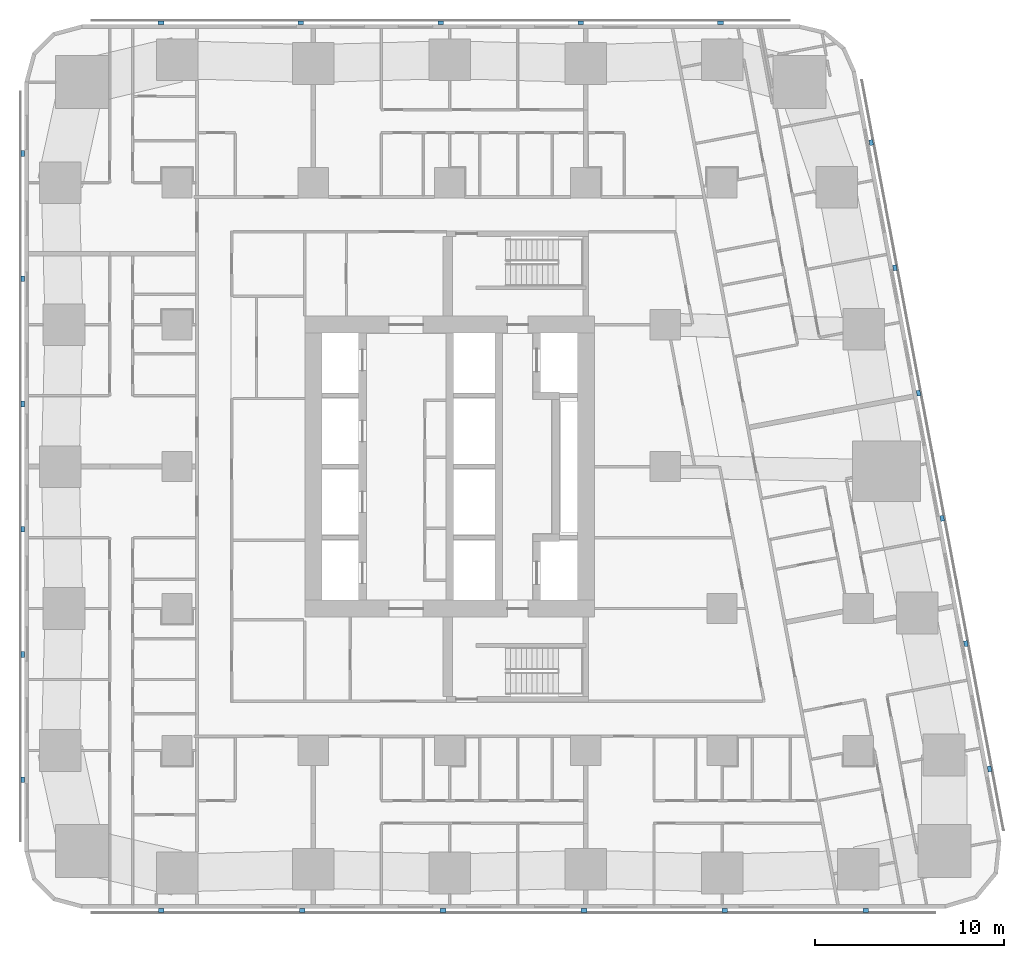
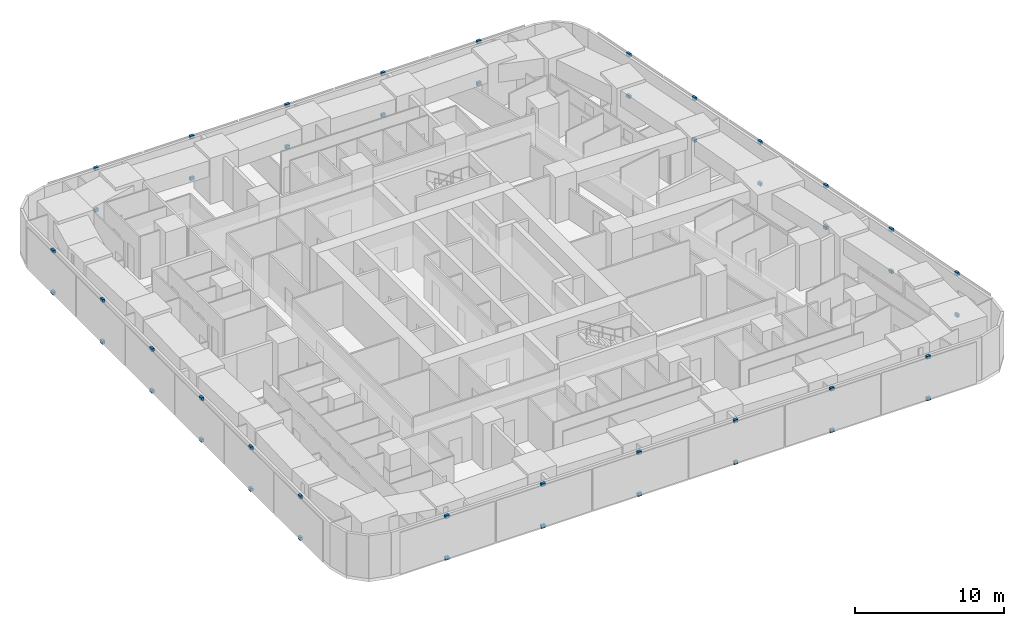
# One storey, part 11 of 15: 46 discrete accessories.
"""IFC4 building model written with IfcOpenShell, lengths in metres."""

import ifcopenshell
import ifcopenshell.guid

model = None  # the IFC model being written
_history = None  # IfcOwnerHistory: only IFC2X3 demands one
_inside = {}  # id of a spatial element -> (the spatial element, [elements in it])
_under = {}  # id of a project, library or spatial element -> (it, [spatial elements below it])
_declared = {}  # id of a project -> (the project, [libraries it declares])
_typed = {}  # id of a type object -> (the type object, [elements of that type])
_made_of = {}  # id of a material, layer set ... -> (it, [elements and type objects made of it])


def new_model(schema):
    """Start an empty IFC model of exactly this schema.

    Asked for "IFC4X3", IfcOpenShell would pick the latest addendum, in which some entities
    have other attributes; the version numbers below select the first issue.
    IFC2X3 requires an IfcOwnerHistory on every rooted entity: one is made here for all.
    """
    global model, _history
    if schema == "IFC4X3":
        model = ifcopenshell.file(schema_version=(4, 3, 0, 0))
    else:
        model = ifcopenshell.file(schema=schema)
    _inside.clear()
    _under.clear()
    _declared.clear()
    _typed.clear()
    _made_of.clear()
    _history = None
    if model.schema == "IFC2X3":
        org = make("IfcOrganization", Name="unknown")
        user = make(
            "IfcPersonAndOrganization",
            ThePerson=make("IfcPerson", FamilyName="unknown"),
            TheOrganization=org,
        )
        app = make(
            "IfcApplication",
            ApplicationDeveloper=org,
            Version="unknown",
            ApplicationFullName="unknown",
            ApplicationIdentifier="unknown",
        )
        _history = make(
            "IfcOwnerHistory",
            OwningUser=user,
            OwningApplication=app,
            ChangeAction="ADDED",
            CreationDate=0,
        )
    return model


def make(cls, **values):
    """One entity of the class cls with the attributes given. An attribute that is None is left unset."""
    return model.create_entity(
        cls, **{name: value for name, value in values.items() if value is not None}
    )


def rooted(cls, **values):
    """An entity with a GlobalId (a new one), such as an element, a storey or a relation."""
    return make(cls, GlobalId=ifcopenshell.guid.new(), OwnerHistory=_history, **values)


def si_unit(unit_type, name, prefix=None):
    """IfcSIUnit, for example si_unit("LENGTHUNIT", "METRE", prefix="MILLI")."""
    return make("IfcSIUnit", UnitType=unit_type, Prefix=prefix, Name=name)


def assignment(units):
    """IfcUnitAssignment: the units of a project."""
    return None if units is None else make("IfcUnitAssignment", Units=units)


def point(xyz):
    """IfcCartesianPoint."""
    return None if xyz is None else make("IfcCartesianPoint", Coordinates=xyz)


def direction(xyz):
    """IfcDirection."""
    return None if xyz is None else make("IfcDirection", DirectionRatios=xyz)


def frame(location, z_axis=None, x_axis=None):
    """IfcAxis2Placement3D, a coordinate frame: its origin and axes. An axis left out is left unset."""
    return make(
        "IfcAxis2Placement3D",
        Location=point(location),
        Axis=direction(z_axis),
        RefDirection=direction(x_axis),
    )


def frame_2d(location, x_axis=None):
    """IfcAxis2Placement2D, a coordinate frame in the plane: its origin and x axis."""
    return make(
        "IfcAxis2Placement2D", Location=point(location), RefDirection=direction(x_axis)
    )


def origin():
    """The frame at (0, 0, 0) with its axes left unset."""
    return frame((0.0, 0.0, 0.0))


def origin_2d():
    """The frame at (0, 0) in the plane with its x axis left unset."""
    return frame_2d((0.0, 0.0))


def place(relative_to, where):
    """IfcLocalPlacement: puts the frame where relative to a parent placement (None: the world)."""
    return make(
        "IfcLocalPlacement", PlacementRelTo=relative_to, RelativePlacement=where
    )


def context(
    kind, dimensions, precision=None, world=None, true_north=None, identifier=None
):
    """IfcGeometricRepresentationContext, for example the 3D "Model" context."""
    return make(
        "IfcGeometricRepresentationContext",
        ContextIdentifier=identifier,
        ContextType=kind,
        CoordinateSpaceDimension=dimensions,
        Precision=precision,
        WorldCoordinateSystem=world,
        TrueNorth=true_north,
    )


def subcontext(parent, identifier, kind, view, scale=None):
    """IfcGeometricRepresentationSubContext, for example "Body" below "Model"."""
    return make(
        "IfcGeometricRepresentationSubContext",
        ContextIdentifier=identifier,
        ContextType=kind,
        ParentContext=parent,
        TargetScale=scale,
        TargetView=view,
    )


def project(units=None, contexts=None):
    """IfcProject with its units and contexts."""
    return rooted(
        "IfcProject",
        Name="project",
        RepresentationContexts=contexts,
        UnitsInContext=assignment(units),
    )


def spatial(cls, under=None, at=None, **own):
    """A site, building, storey or space (cls), placed at a placement, below another one or the project."""
    s = rooted(cls, ObjectPlacement=at, **own)
    if under is not None:
        _under.setdefault(under.id(), (under, []))[1].append(s)
    return s


def profile(cls, at=None, kind="AREA", **sizes):
    """A parametric profile (cls). Its sizes go by their IFC names, for example OverallWidth=200.0."""
    return make(cls, ProfileType=kind, Position=at, **sizes)


def rectangle(**sizes):
    """IfcRectangleProfileDef."""
    return profile("IfcRectangleProfileDef", **sizes)


def extrude(swept, where, along, depth):
    """IfcExtrudedAreaSolid: the profile swept, set in the frame where, extruded along a direction by depth."""
    return make(
        "IfcExtrudedAreaSolid",
        SweptArea=swept,
        Position=where,
        ExtrudedDirection=direction(along),
        Depth=depth,
    )


def shape(context_of_items, identifier, shape_type, items):
    """IfcShapeRepresentation: the items that make up one representation, for example the "Body"."""
    return make(
        "IfcShapeRepresentation",
        ContextOfItems=context_of_items,
        RepresentationIdentifier=identifier,
        RepresentationType=shape_type,
        Items=items,
    )


def material(Name=None, Category=None):
    """IfcMaterial."""
    return make("IfcMaterial", Name=Name, Category=Category)


def made_of(thing, what):
    """Note that an element or type object is made of a material, layer set ...; save() writes the relation."""
    if what is not None:
        _made_of.setdefault(what.id(), (what, []))[1].append(thing)
    return thing


def type_object(cls, material=None, **own):
    """A type object (cls), such as IfcWallType, which elements share."""
    return made_of(rooted(cls, **own), material)


def element(
    cls,
    number,
    at=None,
    inside=None,
    cuts=None,
    type_object=None,
    material=None,
    context=None,
    identifier="Body",
    shape_type=None,
    held_by="IfcProductDefinitionShape",
    body=None,
    shapes=None,
    **own,
):
    """One element of the class cls, such as IfcWall. Its Tag is "e" and its number.

    at: its placement. inside: the storey or other place that contains it. cuts: it is an
    opening in that element (IfcRelVoidsElement). A single representation is given by context,
    identifier, shape_type and body (its items); several are given by shapes. held_by: the class
    of the entity that holds the representations. save() writes the other relations.
    """
    e = rooted(cls, Tag="e%d" % number, ObjectPlacement=at, **own)
    if body is not None:
        shapes = [shape(context, identifier, shape_type, body)]
    if shapes is not None:
        e.Representation = make(held_by, Representations=shapes)
    if inside is not None:
        _inside.setdefault(inside.id(), (inside, []))[1].append(e)
    if cuts is not None:
        rooted(
            "IfcRelVoidsElement", RelatingBuildingElement=cuts, RelatedOpeningElement=e
        )
    if type_object is not None:
        _typed.setdefault(type_object.id(), (type_object, []))[1].append(e)
    return made_of(e, material)


def aggregate(whole, parts):
    """IfcRelAggregates: a whole, such as a stair, and the parts it consists of."""
    return rooted("IfcRelAggregates", RelatingObject=whole, RelatedObjects=parts)


def save(model, path):
    """Write the relations noted so far, then the file.

    IfcRelAggregates (storeys below a building ...), IfcRelContainedInSpatialStructure (elements
    in a storey), IfcRelDefinesByType, IfcRelAssociatesMaterial and IfcRelDeclares: one each for
    every whole, place, type object, material and project.
    """
    for whole, parts in _under.values():
        aggregate(whole, parts)
    for where, things in _inside.values():
        rooted(
            "IfcRelContainedInSpatialStructure",
            RelatedElements=things,
            RelatingStructure=where,
        )
    for kind, things in _typed.values():
        rooted("IfcRelDefinesByType", RelatedObjects=things, RelatingType=kind)
    for what, things in _made_of.values():
        rooted("IfcRelAssociatesMaterial", RelatedObjects=things, RelatingMaterial=what)
    for by, libraries in _declared.values():
        rooted("IfcRelDeclares", RelatingContext=by, RelatedDefinitions=libraries)
    model.write(path)


model = new_model("IFC4")

# Units and contexts
model_context = context("Model", 3, precision=1e-05, world=origin(), true_north=direction((0.0, 1.0)))
body_context = subcontext(model_context, "Body", "Model", "MODEL_VIEW")
ifc_project = project(units=[si_unit("LENGTHUNIT", "METRE"), si_unit("AREAUNIT", "SQUARE_METRE"), si_unit("VOLUMEUNIT", "CUBIC_METRE"), si_unit("PLANEANGLEUNIT", "RADIAN"), si_unit("MASSUNIT", "GRAM", prefix="KILO")], contexts=[model_context])

# Site, building, storey
site_placement = place(None, origin())
site = spatial("IfcSite", under=ifc_project, at=site_placement, CompositionType="ELEMENT")
building_placement = place(site_placement, origin())
building = spatial("IfcBuilding", under=site, at=building_placement, Name="Sheger Commons Tower", CompositionType="ELEMENT")
storey_placement = place(building_placement, frame((0.0, 0.0, 81.64990234375)))
storey = spatial("IfcBuildingStorey", under=building, at=storey_placement, Name="L20", CompositionType="ELEMENT", Elevation=81.64990234375)

# Discrete accessories
ifc_material = material(Name="Black painted steel bracket", Category="steel")
discrete_accessory_type = type_object("IfcDiscreteAccessoryType", Name="SCREEN BRACKET 300x200x250", PredefinedType="BRACKET", material=ifc_material)
for number, where, z_axis, x_axis, name in (
    (1, (6.37109375, -0.949951171875, -0.099853515625), (0.0, 0.0, 1.0), (1.0, 0.0, 0.0), "Solar screen foot bracket"),
    (2, (6.37109375, -0.949951171875, 3.300048828125), (0.0, 0.0, 1.0), (1.0, 0.0, 0.0), "Solar screen head bracket"),
    (3, (13.81396484375, -0.949951171875, -0.099853515625), (0.0, 0.0, 1.0), (1.0, 0.0, 0.0), "Solar screen foot bracket"),
    (4, (13.81396484375, -0.949951171875, 3.300048828125), (0.0, 0.0, 1.0), (1.0, 0.0, 0.0), "Solar screen head bracket"),
    (5, (21.257080078125, -0.949951171875, -0.099853515625), (0.0, 0.0, 1.0), (1.0, 0.0, 0.0), "Solar screen foot bracket"),
    (6, (21.257080078125, -0.949951171875, 3.300048828125), (0.0, 0.0, 1.0), (1.0, 0.0, 0.0), "Solar screen head bracket"),
    (7, (28.698974609375, -0.949951171875, -0.099853515625), (0.0, 0.0, 1.0), (1.0, 0.0, 0.0), "Solar screen foot bracket"),
    (8, (28.698974609375, -0.949951171875, 3.300048828125), (0.0, 0.0, 1.0), (1.0, 0.0, 0.0), "Solar screen head bracket"),
    (9, (36.14208984375, -0.949951171875, -0.099853515625), (0.0, 0.0, 1.0), (1.0, 0.0, 0.0), "Solar screen foot bracket"),
    (10, (36.14208984375, -0.949951171875, 3.300048828125), (0.0, 0.0, 1.0), (1.0, 0.0, 0.0), "Solar screen head bracket"),
    (11, (43.5849609375, -0.949951171875, -0.099853515625), (0.0, 0.0, 1.0), (1.0, 0.0, 0.0), "Solar screen foot bracket"),
    (12, (43.5849609375, -0.949951171875, 3.300048828125), (0.0, 0.0, 1.0), (1.0, 0.0, 0.0), "Solar screen head bracket"),
    (13, (50.134033203125, 6.527099609375, -0.099853515625), (0.0, 0.0, 1.0), (-0.185615165645, 0.982622516678, 0.0), "Solar screen foot bracket"),
    (14, (50.134033203125, 6.527099609375, 3.300048828125), (0.0, 0.0, 1.0), (-0.185615165645, 0.982622516678, 0.0), "Solar screen head bracket"),
    (15, (48.884033203125, 13.14599609375, -0.099853515625), (0.0, 0.0, 1.0), (-0.185615165645, 0.982622516678, 0.0), "Solar screen foot bracket"),
    (16, (48.884033203125, 13.14599609375, 3.300048828125), (0.0, 0.0, 1.0), (-0.185615165645, 0.982622516678, 0.0), "Solar screen head bracket"),
    (17, (47.633056640625, 19.76611328125, -0.099853515625), (0.0, 0.0, 1.0), (-0.185615165645, 0.982622516678, 0.0), "Solar screen foot bracket"),
    (18, (47.633056640625, 19.76611328125, 3.300048828125), (0.0, 0.0, 1.0), (-0.185615165645, 0.982622516678, 0.0), "Solar screen head bracket"),
    (19, (46.383056640625, 26.385009765625, -0.099853515625), (0.0, 0.0, 1.0), (-0.185615165645, 0.982622516678, 0.0), "Solar screen foot bracket"),
    (20, (46.383056640625, 26.385009765625, 3.300048828125), (0.0, 0.0, 1.0), (-0.185615165645, 0.982622516678, 0.0), "Solar screen head bracket"),
    (21, (45.133056640625, 33.0048828125, -0.099853515625), (0.0, 0.0, 1.0), (-0.185615165645, 0.982622516678, 0.0), "Solar screen foot bracket"),
    (22, (45.133056640625, 33.0048828125, 3.300048828125), (0.0, 0.0, 1.0), (-0.185615165645, 0.982622516678, 0.0), "Solar screen head bracket"),
    (23, (43.882080078125, 39.6240234375, -0.099853515625), (0.0, 0.0, 1.0), (-0.185615165645, 0.982622516678, 0.0), "Solar screen foot bracket"),
    (24, (43.882080078125, 39.6240234375, 3.300048828125), (0.0, 0.0, 1.0), (-0.185615165645, 0.982622516678, 0.0), "Solar screen head bracket"),
    (25, (35.9208984375, 45.949951171875, -0.099853515625), (0.0, 0.0, 1.0), (-1.0, 0.0, 0.0), "Solar screen foot bracket"),
    (26, (35.9208984375, 45.949951171875, 3.300048828125), (0.0, 0.0, 1.0), (-1.0, 0.0, 0.0), "Solar screen head bracket"),
    (27, (28.528076171875, 45.949951171875, -0.099853515625), (0.0, 0.0, 1.0), (-1.0, 0.0, 0.0), "Solar screen foot bracket"),
    (28, (28.528076171875, 45.949951171875, 3.300048828125), (0.0, 0.0, 1.0), (-1.0, 0.0, 0.0), "Solar screen head bracket"),
    (29, (21.134033203125, 45.949951171875, -0.099853515625), (0.0, 0.0, 1.0), (-1.0, 0.0, 0.0), "Solar screen foot bracket"),
    (30, (21.134033203125, 45.949951171875, 3.300048828125), (0.0, 0.0, 1.0), (-1.0, 0.0, 0.0), "Solar screen head bracket"),
    (31, (13.739990234375, 45.949951171875, -0.099853515625), (0.0, 0.0, 1.0), (-1.0, 0.0, 0.0), "Solar screen foot bracket"),
    (32, (13.739990234375, 45.949951171875, 3.300048828125), (0.0, 0.0, 1.0), (-1.0, 0.0, 0.0), "Solar screen head bracket"),
    (33, (6.346923828125, 45.949951171875, -0.099853515625), (0.0, 0.0, 1.0), (-1.0, 0.0, 0.0), "Solar screen foot bracket"),
    (34, (6.346923828125, 45.949951171875, 3.300048828125), (0.0, 0.0, 1.0), (-1.0, 0.0, 0.0), "Solar screen head bracket"),
    (35, (-0.949951171875, 39.0419921875, -0.099853515625), (0.0, 0.0, 1.0), (0.0, -1.0, 0.0), "Solar screen foot bracket"),
    (36, (-0.949951171875, 39.0419921875, 3.300048828125), (0.0, 0.0, 1.0), (0.0, -1.0, 0.0), "Solar screen head bracket"),
    (37, (-0.949951171875, 32.425048828125, -0.099853515625), (0.0, 0.0, 1.0), (0.0, -1.0, 0.0), "Solar screen foot bracket"),
    (38, (-0.949951171875, 32.425048828125, 3.300048828125), (0.0, 0.0, 1.0), (0.0, -1.0, 0.0), "Solar screen head bracket"),
    (39, (-0.949951171875, 25.80810546875, -0.099853515625), (0.0, 0.0, 1.0), (0.0, -1.0, 0.0), "Solar screen foot bracket"),
    (40, (-0.949951171875, 25.80810546875, 3.300048828125), (0.0, 0.0, 1.0), (0.0, -1.0, 0.0), "Solar screen head bracket"),
    (41, (-0.949951171875, 19.19189453125, -0.099853515625), (0.0, 0.0, 1.0), (0.0, -1.0, 0.0), "Solar screen foot bracket"),
    (42, (-0.949951171875, 19.19189453125, 3.300048828125), (0.0, 0.0, 1.0), (0.0, -1.0, 0.0), "Solar screen head bracket"),
    (43, (-0.949951171875, 12.574951171875, -0.099853515625), (0.0, 0.0, 1.0), (0.0, -1.0, 0.0), "Solar screen foot bracket"),
    (44, (-0.949951171875, 12.574951171875, 3.300048828125), (0.0, 0.0, 1.0), (0.0, -1.0, 0.0), "Solar screen head bracket"),
    (45, (-0.949951171875, 5.9580078125, -0.099853515625), (0.0, 0.0, 1.0), (0.0, -1.0, 0.0), "Solar screen foot bracket"),
    (46, (-0.949951171875, 5.9580078125, 3.300048828125), (0.0, 0.0, 1.0), (0.0, -1.0, 0.0), "Solar screen head bracket"),
):
    element("IfcDiscreteAccessory", number, at=place(storey_placement, frame(where, z_axis=z_axis, x_axis=x_axis)), inside=storey, type_object=discrete_accessory_type, Name=name, PredefinedType="BRACKET", context=body_context, shape_type="SweptSolid", body=[
        extrude(rectangle(XDim=0.300048828125, YDim=0.199951171875, at=origin_2d()), origin(), (0.0, 0.0, 1.0), 0.25),
    ])

save(model, "model.ifc")
